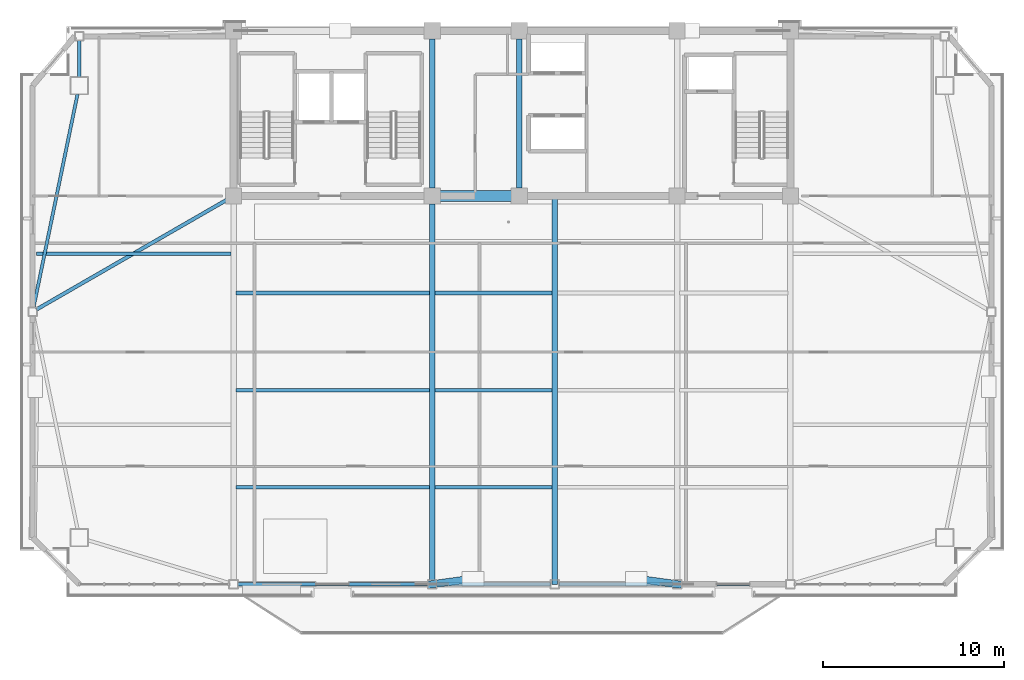
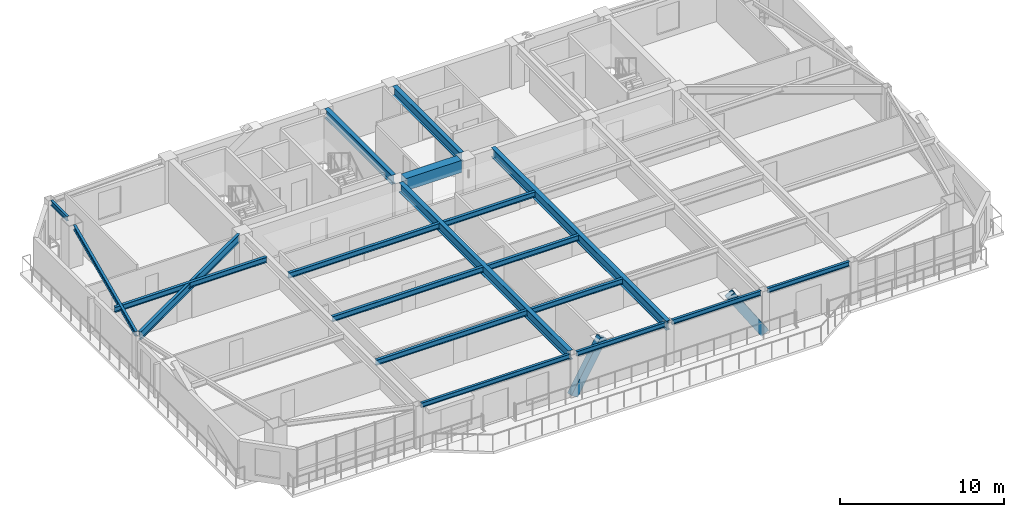
# One storey, part 3 of 18: 19 beams, 2 members.
"""IFC4 building model written with IfcOpenShell, lengths in metres."""

from ifc_helpers import new_model, si_unit, direction, frame, origin, origin_2d, place, context, subcontext, project, spatial, rectangle, hollow_rectangle, i_section, extrude, source, transform, mapped, material, material_profile, profile_set, type_object, element, save


model = new_model("IFC4")

# Units and contexts
model_context = context("Model", 3, precision=1e-05, world=origin(), true_north=direction((0.0, 1.0)))
body_context = subcontext(model_context, "Body", "Model", "MODEL_VIEW")
ifc_project = project(units=[si_unit("LENGTHUNIT", "METRE"), si_unit("AREAUNIT", "SQUARE_METRE"), si_unit("VOLUMEUNIT", "CUBIC_METRE"), si_unit("PLANEANGLEUNIT", "RADIAN"), si_unit("MASSUNIT", "GRAM", prefix="KILO")], contexts=[model_context])

# Site, building, storey
site_placement = place(None, origin())
site = spatial("IfcSite", under=ifc_project, at=site_placement, CompositionType="ELEMENT")
building_placement = place(site_placement, origin())
building = spatial("IfcBuilding", under=site, at=building_placement, Name="Giltprow Tower", CompositionType="ELEMENT")
storey_placement = place(building_placement, frame((0.0, 0.0, 258.699951171875)))
storey = spatial("IfcBuildingStorey", under=building, at=storey_placement, Name="L66", CompositionType="ELEMENT", Elevation=258.699951171875)

# Beams
ifc_material_1 = material(Name="Structural steel Q355B", Category="steel")
ifc_material_profile_1 = material_profile(ifc_material_1, i_section(OverallWidth=0.199951171875, OverallDepth=0.39990234375, WebThickness=0.008056640625, FlangeThickness=0.012939453125, at=origin_2d()), Name="HN 400x200x8x13")
ifc_profile_set_1 = profile_set([ifc_material_profile_1], Name="Structural steel Q355B")
beam_type_1 = type_object("IfcBeamType", Name="BM-JOIST-HN400", PredefinedType="JOIST", material=ifc_profile_set_1)
shared_shape_1 = source(origin(), body_context, "Body", "SweptSolid", [
    extrude(i_section(OverallWidth=0.199951171875, OverallDepth=0.39990234375, WebThickness=0.008056640625, FlangeThickness=0.012939453125, at=origin_2d()), origin(), (0.0, 0.0, 1.0), 10.659912109375),
])
for number, where, z_axis, x_axis, name in (
    (1, (19.9951171875, 21.39599609375, 2.985107421875), (1.0, 0.0, 0.0), (0.0, 1.0, 0.0), "L66 Composite Floor Joist 1-1"),
    (2, (19.9951171875, 26.748046875, 2.985107421875), (1.0, 0.0, 0.0), (0.0, 1.0, 0.0), "L66 Composite Floor Joist 2-1"),
    (3, (19.9951171875, 32.09912109375, 2.985107421875), (1.0, 0.0, 0.0), (0.0, 1.0, 0.0), "L66 Composite Floor Joist 3-1"),
):
    element("IfcBeam", number, at=place(storey_placement, frame(where, z_axis=z_axis, x_axis=x_axis)), inside=storey, type_object=beam_type_1, Name=name, PredefinedType="JOIST", context=body_context, shape_type="MappedRepresentation", body=[
        mapped(shared_shape_1, transform((0.0, 0.0, 0.0), x_axis=(1.0, 0.0, 0.0), y_axis=(0.0, 1.0, 0.0), z_axis=(0.0, 0.0, 1.0), scale=1.0)),
    ])
shared_shape_2 = source(origin(), body_context, "Body", "SweptSolid", [
    extrude(i_section(OverallWidth=0.199951171875, OverallDepth=0.39990234375, WebThickness=0.008056640625, FlangeThickness=0.012939453125, at=origin_2d()), origin(), (0.0, 0.0, 1.0), 6.4599609375),
])
for number, where, z_axis, x_axis, name in (
    (4, (30.945068359375, 21.39599609375, 2.985107421875), (1.0, 0.0, 0.0), (0.0, 1.0, 0.0), "L66 Composite Floor Joist 1-2"),
    (5, (30.945068359375, 26.748046875, 2.985107421875), (1.0, 0.0, 0.0), (0.0, 1.0, 0.0), "L66 Composite Floor Joist 2-2"),
    (6, (30.945068359375, 32.09912109375, 2.985107421875), (1.0, 0.0, 0.0), (0.0, 1.0, 0.0), "L66 Composite Floor Joist 3-2"),
):
    element("IfcBeam", number, at=place(storey_placement, frame(where, z_axis=z_axis, x_axis=x_axis)), inside=storey, type_object=beam_type_1, Name=name, PredefinedType="JOIST", context=body_context, shape_type="MappedRepresentation", body=[
        mapped(shared_shape_2, transform((0.0, 0.0, 0.0), x_axis=(1.0, 0.0, 0.0), y_axis=(0.0, 1.0, 0.0), z_axis=(0.0, 0.0, 1.0), scale=1.0)),
    ])
ifc_material_profile_2 = material_profile(ifc_material_1, i_section(OverallWidth=0.175048828125, OverallDepth=0.35009765625, WebThickness=0.007080078125, FlangeThickness=0.010986328125, at=origin_2d()), Name="HN 350x175x7x11")
ifc_profile_set_2 = profile_set([ifc_material_profile_2], Name="Structural steel Q355B")
beam_type_2 = type_object("IfcBeamType", Name="BM-SPAN-HN350", PredefinedType="SPANDREL", material=ifc_profile_set_2)
shared_shape_3 = source(origin(), body_context, "Body", "SweptSolid", [
    extrude(i_section(OverallWidth=0.175048828125, OverallDepth=0.35009765625, WebThickness=0.007080078125, FlangeThickness=0.010986328125, at=origin_2d()), origin(), (0.0, 0.0, 1.0), 10.47998046875),
])
beam_1_placement = place(storey_placement, frame((20.0849609375, 16.044921875, 3.010009765625), z_axis=(1.0, 0.0, 0.0), x_axis=(0.0, 1.0, 0.0)))
element("IfcBeam", 7, at=beam_1_placement, inside=storey, type_object=beam_type_2, Name="L66 Perimeter Spandrel Beam S1-S2", PredefinedType="SPANDREL", context=body_context, shape_type="MappedRepresentation", body=[
    mapped(shared_shape_3, transform((0.0, 0.0, 0.0), x_axis=(1.0, 0.0, 0.0), y_axis=(0.0, 1.0, 0.0), z_axis=(0.0, 0.0, 1.0), scale=1.0)),
])
shared_shape_4 = source(origin(), body_context, "Body", "SweptSolid", [
    extrude(i_section(OverallWidth=0.175048828125, OverallDepth=0.35009765625, WebThickness=0.007080078125, FlangeThickness=0.010986328125, at=origin_2d()), origin(), (0.0, 0.0, 1.0), 6.280029296875),
])
for number, where, z_axis, x_axis, name in (
    (8, (31.034912109375, 16.044921875, 3.010009765625), (1.0, 0.0, 0.0), (0.0, 1.0, 0.0), "L66 Perimeter Spandrel Beam S2-S_MID"),
    (9, (37.784912109375, 16.044921875, 3.010009765625), (1.0, 0.0, 0.0), (0.0, 1.0, 0.0), "L66 Perimeter Spandrel Beam S_MID-S3"),
):
    element("IfcBeam", number, at=place(storey_placement, frame(where, z_axis=z_axis, x_axis=x_axis)), inside=storey, type_object=beam_type_2, Name=name, PredefinedType="SPANDREL", context=body_context, shape_type="MappedRepresentation", body=[
        mapped(shared_shape_4, transform((0.0, 0.0, 0.0), x_axis=(1.0, 0.0, 0.0), y_axis=(0.0, 1.0, 0.0), z_axis=(0.0, 0.0, 1.0), scale=1.0)),
    ])
shared_shape_5 = source(origin(), body_context, "Body", "SweptSolid", [
    extrude(i_section(OverallWidth=0.175048828125, OverallDepth=0.35009765625, WebThickness=0.007080078125, FlangeThickness=0.010986328125, at=origin_2d()), origin(), (0.0, 0.0, 1.0), 5.780029296875),
])
beam_2_placement = place(storey_placement, frame((44.534912109375, 16.044921875, 3.010009765625), z_axis=(1.0, 0.0, 0.0), x_axis=(0.0, 1.0, 0.0)))
element("IfcBeam", 10, at=beam_2_placement, inside=storey, type_object=beam_type_2, Name="L66 Perimeter Spandrel Beam S3-S4", PredefinedType="SPANDREL", context=body_context, shape_type="MappedRepresentation", body=[
    mapped(shared_shape_5, transform((0.0, 0.0, 0.0), x_axis=(1.0, 0.0, 0.0), y_axis=(0.0, 1.0, 0.0), z_axis=(0.0, 0.0, 1.0), scale=1.0)),
])
shared_shape_6 = source(origin(), body_context, "Body", "SweptSolid", [
    extrude(i_section(OverallWidth=0.175048828125, OverallDepth=0.35009765625, WebThickness=0.007080078125, FlangeThickness=0.010986328125, at=origin_2d()), origin(), (0.0, 0.0, 1.0), 12.000244140625),
])
beam_3_placement = place(storey_placement, frame((11.25, 43.054931640625, 3.010009765625), z_axis=(-0.202000773979, -0.979385362006, 0.0), x_axis=(0.979385362006, -0.202000773979, 0.0)))
element("IfcBeam", 11, at=beam_3_placement, inside=storey, type_object=beam_type_2, Name="L66 Perimeter Spandrel Beam MC_NW-W_MID", PredefinedType="SPANDREL", context=body_context, shape_type="MappedRepresentation", body=[
    mapped(shared_shape_6, transform((0.0, 0.0, 0.0), x_axis=(1.0, 0.0, 0.0), y_axis=(0.0, 1.0, 0.0), z_axis=(0.0, 0.0, 1.0), scale=1.0)),
])
shared_shape_7 = source(origin(), body_context, "Body", "SweptSolid", [
    extrude(i_section(OverallWidth=0.175048828125, OverallDepth=0.35009765625, WebThickness=0.007080078125, FlangeThickness=0.010986328125, at=origin_2d()), origin(), (0.0, 0.0, 1.0), 2.0),
])
beam_4_placement = place(storey_placement, frame((11.347900390625, 46.014892578125, 3.010009765625), z_axis=(0.0, -1.0, 0.0), x_axis=(1.0, 0.0, 0.0)))
element("IfcBeam", 12, at=beam_4_placement, inside=storey, type_object=beam_type_2, Name="L66 Perimeter Spandrel Beam N_W-MC_NW", PredefinedType="SPANDREL", context=body_context, shape_type="MappedRepresentation", body=[
    mapped(shared_shape_7, transform((0.0, 0.0, 0.0), x_axis=(1.0, 0.0, 0.0), y_axis=(0.0, 1.0, 0.0), z_axis=(0.0, 0.0, 1.0), scale=1.0)),
])
ifc_material_profile_3 = material_profile(ifc_material_1, i_section(OverallWidth=0.300048828125, OverallDepth=0.699951171875, WebThickness=0.012939453125, FlangeThickness=0.02392578125, at=origin_2d()), Name="HN 700x300x13x24")
ifc_profile_set_3 = profile_set([ifc_material_profile_3], Name="Structural steel Q355B")
beam_type_3 = type_object("IfcBeamType", Name="BM-GIRD-HN700", PredefinedType="BEAM", material=ifc_profile_set_3)
shared_shape_8 = source(origin(), body_context, "Body", "SweptSolid", [
    extrude(i_section(OverallWidth=0.300048828125, OverallDepth=0.699951171875, WebThickness=0.012939453125, FlangeThickness=0.02392578125, at=origin_2d()), origin(), (0.0, 0.0, 1.0), 21.405029296875),
])
beam_5_placement = place(storey_placement, frame((37.550048828125, 16.044921875, 2.8349609375), z_axis=(0.0, 1.0, 0.0), x_axis=(-1.0, 0.0, 0.0)))
element("IfcBeam", 13, at=beam_5_placement, inside=storey, type_object=beam_type_3, Name="L66 Central Lease Girder SMID", PredefinedType="BEAM", context=body_context, shape_type="MappedRepresentation", body=[
    mapped(shared_shape_8, transform((0.0, 0.0, 0.0), x_axis=(1.0, 0.0, 0.0), y_axis=(0.0, 1.0, 0.0), z_axis=(0.0, 0.0, 1.0), scale=1.0)),
])
shared_shape_9 = source(origin(), body_context, "Body", "SweptSolid", [
    extrude(i_section(OverallWidth=0.199951171875, OverallDepth=0.39990234375, WebThickness=0.008056640625, FlangeThickness=0.012939453125, at=origin_2d()), origin(), (0.0, 0.0, 1.0), 10.7060546875),
])
beam_6_placement = place(storey_placement, frame((8.9990234375, 34.260986328125, 2.985107421875), z_axis=(1.0, 0.0, 0.0), x_axis=(0.0, 1.0, 0.0)))
element("IfcBeam", 14, at=beam_6_placement, inside=storey, type_object=beam_type_1, Name="L66 West Wing Floor Joist 2", PredefinedType="JOIST", context=body_context, shape_type="MappedRepresentation", body=[
    mapped(shared_shape_9, transform((0.0, 0.0, 0.0), x_axis=(1.0, 0.0, 0.0), y_axis=(0.0, 1.0, 0.0), z_axis=(0.0, 0.0, 1.0), scale=1.0)),
])
ifc_material_2 = material(Name="Concrete C50", Category="concrete")
ifc_material_profile_4 = material_profile(ifc_material_2, rectangle(XDim=0.60009765625, YDim=0.89990234375, at=origin_2d()), Name="RC 900x600")
ifc_profile_set_4 = profile_set([ifc_material_profile_4], Name="Concrete C50")
beam_type_4 = type_object("IfcBeamType", Name="BM-CPL-RC900", PredefinedType="LINTEL", material=ifc_profile_set_4)
shared_shape_10 = source(origin(), body_context, "Body", "SweptSolid", [
    extrude(rectangle(XDim=0.60009765625, YDim=0.89990234375, at=origin_2d()), origin(), (0.0, 0.0, 1.0), 3.929931640625),
])
beam_7_placement = place(storey_placement, frame((31.235107421875, 37.449951171875, 2.735107421875), z_axis=(1.0, 0.0, 0.0), x_axis=(0.0, 1.0, 0.0)))
element("IfcBeam", 15, at=beam_7_placement, inside=storey, type_object=beam_type_4, Name="L66 Core Coupling Beam CB-1", PredefinedType="LINTEL", context=body_context, shape_type="MappedRepresentation", body=[
    mapped(shared_shape_10, transform((0.0, 0.0, 0.0), x_axis=(1.0, 0.0, 0.0), y_axis=(0.0, 1.0, 0.0), z_axis=(0.0, 0.0, 1.0), scale=1.0)),
])
shared_shape_11 = source(origin(), body_context, "Body", "SweptSolid", [
    extrude(i_section(OverallWidth=0.300048828125, OverallDepth=0.699951171875, WebThickness=0.012939453125, FlangeThickness=0.02392578125, at=origin_2d()), origin(), (0.0, 0.0, 1.0), 8.22998046875),
])
for number, where, z_axis, x_axis, name in (
    (16, (30.800048828125, 37.885009765625, 2.8349609375), (0.0, 1.0, 0.0), (-1.0, 0.0, 0.0), "L66 Core Tie Girder M1"),
    (17, (35.60009765625, 37.885009765625, 2.8349609375), (0.0, 1.0, 0.0), (-1.0, 0.0, 0.0), "L66 Core Tie Girder M2"),
):
    element("IfcBeam", number, at=place(storey_placement, frame(where, z_axis=z_axis, x_axis=x_axis)), inside=storey, type_object=beam_type_3, Name=name, PredefinedType="BEAM", context=body_context, shape_type="MappedRepresentation", body=[
        mapped(shared_shape_11, transform((0.0, 0.0, 0.0), x_axis=(1.0, 0.0, 0.0), y_axis=(0.0, 1.0, 0.0), z_axis=(0.0, 0.0, 1.0), scale=1.0)),
    ])
shared_shape_12 = source(origin(), body_context, "Body", "SweptSolid", [
    extrude(i_section(OverallWidth=0.300048828125, OverallDepth=0.699951171875, WebThickness=0.012939453125, FlangeThickness=0.02392578125, at=origin_2d()), origin(), (0.0, 0.0, 1.0), 20.73486328125),
])
beam_8_placement = place(storey_placement, frame((30.800048828125, 16.280029296875, 2.8349609375), z_axis=(0.0, 1.0, 0.0), x_axis=(-1.0, 0.0, 0.0)))
element("IfcBeam", 18, at=beam_8_placement, inside=storey, type_object=beam_type_3, Name="L66 Primary Lease Girder S2", PredefinedType="BEAM", context=body_context, shape_type="MappedRepresentation", body=[
    mapped(shared_shape_12, transform((0.0, 0.0, 0.0), x_axis=(1.0, 0.0, 0.0), y_axis=(0.0, 1.0, 0.0), z_axis=(0.0, 0.0, 1.0), scale=1.0)),
])
ifc_material_profile_5 = material_profile(ifc_material_1, i_section(OverallWidth=0.199951171875, OverallDepth=0.60009765625, WebThickness=0.010986328125, FlangeThickness=0.01708984375, at=origin_2d()), Name="HN 600x200x11x17")
ifc_profile_set_5 = profile_set([ifc_material_profile_5], Name="Structural steel Q355B")
beam_type_5 = type_object("IfcBeamType", Name="BM-GIRD-HN600", PredefinedType="BEAM", material=ifc_profile_set_5)
shared_shape_13 = source(origin(), body_context, "Body", "SweptSolid", [
    extrude(i_section(OverallWidth=0.199951171875, OverallDepth=0.60009765625, WebThickness=0.010986328125, FlangeThickness=0.01708984375, at=origin_2d()), origin(), (0.0, 0.0, 1.0), 12.106689453125),
])
beam_9_placement = place(storey_placement, frame((8.98291015625, 31.18896484375, 2.885009765625), z_axis=(0.866470476674, 0.499228317559, 0.0), x_axis=(-0.499228317559, 0.866470476674, 0.0)))
element("IfcBeam", 19, at=beam_9_placement, inside=storey, type_object=beam_type_5, Name="L66 West Wing Primary Girder", PredefinedType="BEAM", context=body_context, shape_type="MappedRepresentation", body=[
    mapped(shared_shape_13, transform((0.0, 0.0, 0.0), x_axis=(1.0, 0.0, 0.0), y_axis=(0.0, 1.0, 0.0), z_axis=(0.0, 0.0, 1.0), scale=1.0)),
])

# Members
ifc_material_3 = material(Name="Structural steel Q420GJC", Category="steel")
ifc_material_profile_6 = material_profile(ifc_material_3, hollow_rectangle(XDim=0.39990234375, YDim=0.60009765625, WallThickness=0.028076171875, at=origin_2d()), Name="RHS 600x400x28")
ifc_profile_set_6 = profile_set([ifc_material_profile_6], Name="Structural steel Q420GJC")
member_type = type_object("IfcMemberType", Name="MBR-MEGA-RHS600", PredefinedType="BRACE", material=ifc_profile_set_6)
shared_shape_14 = source(origin(), body_context, "Body", "SweptSolid", [
    extrude(hollow_rectangle(XDim=0.39990234375, YDim=0.60009765625, WallThickness=0.028076171875, at=origin_2d()), origin(), (0.0, 0.0, 1.0), 4.0888671875),
])
for number, where, z_axis, x_axis, name in (
    (20, (30.800048828125, 16.044921875, 0.0), (0.550261534741, 0.075828141181, 0.831542143483), (-0.13651372484, 0.990638179625, 0.0), "L66 Chevron Mega-Brace S-L"),
    (21, (44.300048828125, 16.044921875, 0.0), (-0.550261534741, 0.075828141181, 0.831542143483), (-0.13651372484, -0.990638179625, 0.0), "L66 Chevron Mega-Brace S-R"),
):
    element("IfcMember", number, at=place(storey_placement, frame(where, z_axis=z_axis, x_axis=x_axis)), inside=storey, type_object=member_type, Name=name, PredefinedType="BRACE", context=body_context, shape_type="MappedRepresentation", body=[
        mapped(shared_shape_14, transform((0.0, 0.0, 0.0), x_axis=(1.0, 0.0, 0.0), y_axis=(0.0, 1.0, 0.0), z_axis=(0.0, 0.0, 1.0), scale=1.0)),
    ])

save(model, "model.ifc")
